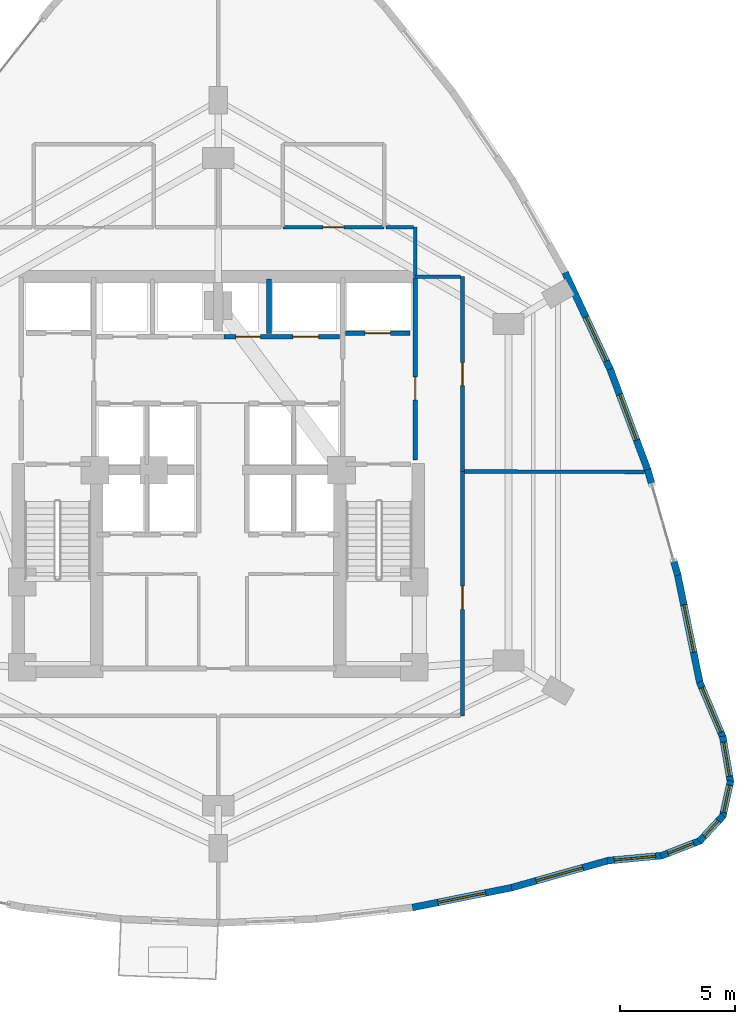
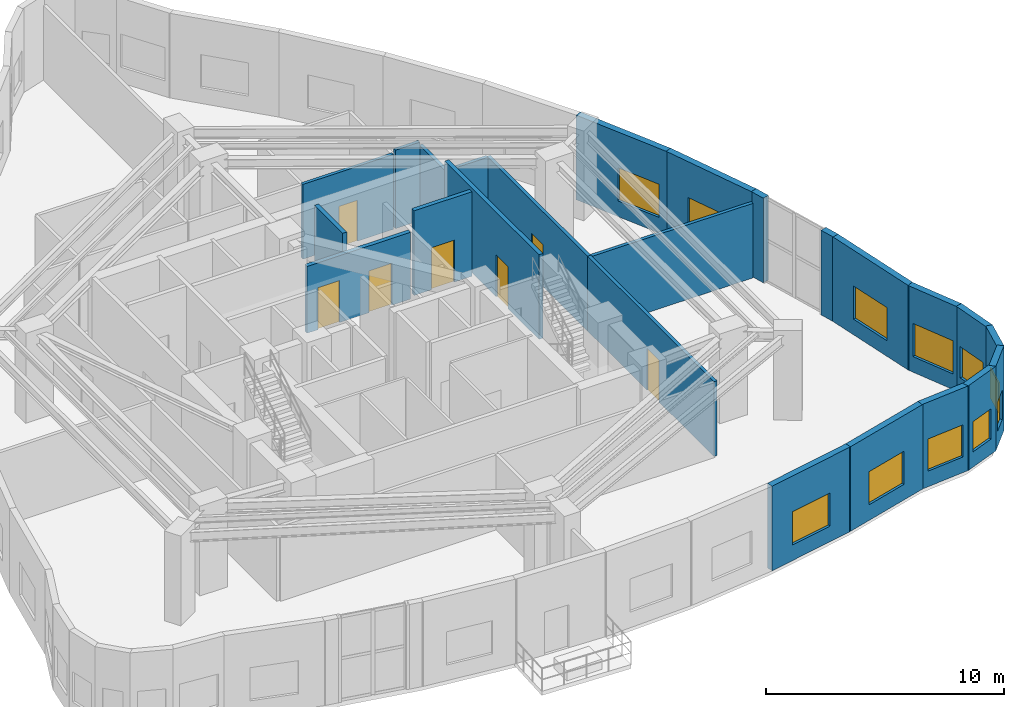
# One storey, part 15 of 17: 24 walls, 11 windows, 7 doors, 18 openings.
"""IFC4 building model written with IfcOpenShell, lengths in metres."""

from ifc_helpers import new_model, si_unit, direction, frame, frame_2d, origin, place, context, subcontext, project, spatial, rectangle, extrude, material, layer, layer_set, type_object, element, fill, save


model = new_model("IFC4")

# Units and contexts
model_context = context("Model", 3, precision=1e-05, world=origin(), true_north=direction((0.0, 1.0)))
body_context = subcontext(model_context, "Body", "Model", "MODEL_VIEW")
ifc_project = project(units=[si_unit("LENGTHUNIT", "METRE"), si_unit("AREAUNIT", "SQUARE_METRE"), si_unit("VOLUMEUNIT", "CUBIC_METRE"), si_unit("PLANEANGLEUNIT", "RADIAN"), si_unit("MASSUNIT", "GRAM", prefix="KILO")], contexts=[model_context])

# Site, building, storey
site_placement = place(None, origin())
site = spatial("IfcSite", under=ifc_project, at=site_placement, CompositionType="ELEMENT")
building_placement = place(site_placement, origin())
building = spatial("IfcBuilding", under=site, at=building_placement, Name="Miruveldt Soraemaru", CompositionType="ELEMENT")
storey_placement = place(building_placement, frame((0.0, 0.0, 95.800048828125)))
storey = spatial("IfcBuildingStorey", under=building, at=storey_placement, Name="L26", CompositionType="ELEMENT", Elevation=95.800048828125)

# Wall, opening, window
ifc_material_1 = material(Name="Precast concrete C45/55 (45 MPa)", Category="concrete")
ifc_layer_1 = layer(ifc_material_1, 0.300048828125, Name="Precast concrete C45/55 (45 MPa)", Category="concrete")
ifc_layer_set_1 = layer_set([ifc_layer_1], Name="Precast concrete C45/55 (45 MPa)")
wall_type_1 = type_object("IfcWallType", Name="WALL-EXT-PC300", PredefinedType="SOLIDWALL", material=ifc_layer_set_1)
wall_1_placement = place(storey_placement, frame((52.42333984375, 25.077880859375, 0.0), z_axis=(0.0, 0.0, 1.0), x_axis=(0.980576390451, 0.196137560119, 0.0)))
wall_1 = element("IfcWall", 1, at=wall_1_placement, inside=storey, type_object=wall_type_1, Name="L26 Precast Concrete Facade Wall 27", PredefinedType="SOLIDWALL", context=body_context, shape_type="SweptSolid", body=[
    extrude(rectangle(XDim=4.3828125, YDim=0.300048828125, at=frame_2d((2.19140625, 0.0))), origin(), (0.0, 0.0, 1.0), 4.3349609375),
])
opening_1_placement = place(wall_1_placement, frame((1.14111328125, 0.0, 0.800048828125)))
opening_1 = element("IfcOpeningElement", 2, at=opening_1_placement, cuts=wall_1, Name="Opening WN-1", PredefinedType="OPENING", context=body_context, shape_type="SweptSolid", body=[
    extrude(rectangle(XDim=2.10009765625, YDim=1.699951171875, at=frame_2d((1.050048828125, 0.85009765625))), frame((0.0, 0.16015625, 0.0), z_axis=(0.0, -1.0, 0.0), x_axis=(1.0, 0.0, 0.0)), (0.0, 0.0, 1.0), 0.320068359375),
])
ifc_material_2 = material(Name="Triple low-e insulated glazing", Category="glass")
window_type_1 = type_object("IfcWindowType", Name="WIN-PUNCH-2100x1700", PartitioningType="SINGLE_PANEL", PredefinedType="WINDOW", material=ifc_material_2)
window_1_placement = place(opening_1_placement, origin())
window_1 = element("IfcWindow", 3, at=window_1_placement, inside=storey, type_object=window_type_1, Name="L26 Punched Triple-Glazed Window 27.1", OverallHeight=1.699951171875, OverallWidth=2.10009765625, PartitioningType="SINGLE_PANEL", PredefinedType="WINDOW", context=body_context, shape_type="SweptSolid", body=[
    extrude(rectangle(XDim=2.10009765625, YDim=1.699951171875, at=frame_2d((1.050048828125, 0.85009765625))), frame((0.0, 0.030029296875, 0.0), z_axis=(0.0, -1.0, 0.0), x_axis=(1.0, 0.0, 0.0)), (0.0, 0.0, 1.0), 0.06005859375),
])
fill(opening_1, window_1)

wall_2_placement = place(storey_placement, frame((56.65283203125, 25.921142578125, 0.0), z_axis=(0.0, 0.0, 1.0), x_axis=(0.9629702709, 0.269607598859, 0.0)))
wall_2 = element("IfcWall", 4, at=wall_2_placement, inside=storey, type_object=wall_type_1, Name="L26 Precast Concrete Facade Wall 28", PredefinedType="SOLIDWALL", context=body_context, shape_type="SweptSolid", body=[
    extrude(rectangle(XDim=4.461669921875, YDim=0.300048828125, at=frame_2d((2.23095703125, 0.0))), origin(), (0.0, 0.0, 1.0), 4.3349609375),
])
opening_2_placement = place(wall_2_placement, frame((1.180908203125, 0.0, 0.800048828125)))
opening_2 = element("IfcOpeningElement", 5, at=opening_2_placement, cuts=wall_2, Name="Opening WN-1", PredefinedType="OPENING", context=body_context, shape_type="SweptSolid", body=[
    extrude(rectangle(XDim=2.10009765625, YDim=1.699951171875, at=frame_2d((1.050048828125, 0.85009765625))), frame((0.0, 0.16015625, 0.0), z_axis=(0.0, -1.0, 0.0), x_axis=(1.0, 0.0, 0.0)), (0.0, 0.0, 1.0), 0.320068359375),
])
window_2_placement = place(opening_2_placement, origin())
window_2 = element("IfcWindow", 6, at=window_2_placement, inside=storey, type_object=window_type_1, Name="L26 Punched Triple-Glazed Window 28.1", OverallHeight=1.699951171875, OverallWidth=2.10009765625, PartitioningType="SINGLE_PANEL", PredefinedType="WINDOW", context=body_context, shape_type="SweptSolid", body=[
    extrude(rectangle(XDim=2.10009765625, YDim=1.699951171875, at=frame_2d((1.050048828125, 0.85009765625))), frame((0.0, 0.030029296875, 0.0), z_axis=(0.0, -1.0, 0.0), x_axis=(1.0, 0.0, 0.0)), (0.0, 0.0, 1.0), 0.06005859375),
])
fill(opening_2, window_2)

wall_3_placement = place(storey_placement, frame((60.880615234375, 27.111328125, 0.0), z_axis=(0.0, 0.0, 1.0), x_axis=(0.99575966251, 0.091992904713, 0.0)))
wall_3 = element("IfcWall", 7, at=wall_3_placement, inside=storey, type_object=wall_type_1, Name="L26 Precast Concrete Facade Wall 29", PredefinedType="SOLIDWALL", context=body_context, shape_type="SweptSolid", body=[
    extrude(rectangle(XDim=2.40185546875, YDim=0.300048828125, at=frame_2d((1.200927734375, 0.0))), origin(), (0.0, 0.0, 1.0), 4.3349609375),
])
opening_3_placement = place(wall_3_placement, frame((0.301025390625, 0.0, 0.800048828125)))
opening_3 = element("IfcOpeningElement", 8, at=opening_3_placement, cuts=wall_3, Name="Opening WN-2", PredefinedType="OPENING", context=body_context, shape_type="SweptSolid", body=[
    extrude(rectangle(XDim=1.800048828125, YDim=1.64990234375, at=frame_2d((0.89990234375, 0.824951171875))), frame((0.0, 0.16015625, 0.0), z_axis=(0.0, -1.0, 0.0), x_axis=(1.0, 0.0, 0.0)), (0.0, 0.0, 1.0), 0.320068359375),
])
window_type_2 = type_object("IfcWindowType", Name="WIN-PUNCH-1800x1650", PartitioningType="SINGLE_PANEL", PredefinedType="WINDOW", material=ifc_material_2)
window_3_placement = place(opening_3_placement, origin())
window_3 = element("IfcWindow", 9, at=window_3_placement, inside=storey, type_object=window_type_2, Name="L26 Punched Triple-Glazed Window 29.1", OverallHeight=1.64990234375, OverallWidth=1.800048828125, PartitioningType="SINGLE_PANEL", PredefinedType="WINDOW", context=body_context, shape_type="SweptSolid", body=[
    extrude(rectangle(XDim=1.800048828125, YDim=1.64990234375, at=frame_2d((0.89990234375, 0.824951171875))), frame((0.0, 0.030029296875, 0.0), z_axis=(0.0, -1.0, 0.0), x_axis=(1.0, 0.0, 0.0)), (0.0, 0.0, 1.0), 0.06005859375),
])
fill(opening_3, window_3)

wall_4_placement = place(storey_placement, frame((63.20458984375, 27.31640625, 0.0), z_axis=(0.0, 0.0, 1.0), x_axis=(0.932296797373, 0.361694182437, 0.0)))
wall_4 = element("IfcWall", 10, at=wall_4_placement, inside=storey, type_object=wall_type_1, Name="L26 Precast Concrete Facade Wall 30", PredefinedType="SOLIDWALL", context=body_context, shape_type="SweptSolid", body=[
    extrude(rectangle(XDim=1.848876953125, YDim=0.300048828125, at=frame_2d((0.92431640625, 0.0))), origin(), (0.0, 0.0, 1.0), 4.3349609375),
])
opening_4_placement = place(wall_4_placement, frame((0.324951171875, 0.0, 0.780029296875)))
opening_4 = element("IfcOpeningElement", 11, at=opening_4_placement, cuts=wall_4, Name="Opening WN-4", PredefinedType="OPENING", context=body_context, shape_type="SweptSolid", body=[
    extrude(rectangle(XDim=1.199951171875, YDim=1.550048828125, at=frame_2d((0.60009765625, 0.77490234375))), frame((0.0, 0.16015625, 0.0), z_axis=(0.0, -1.0, 0.0), x_axis=(1.0, 0.0, 0.0)), (0.0, 0.0, 1.0), 0.320068359375),
])
window_type_3 = type_object("IfcWindowType", Name="WIN-PUNCH-1200x1550", PartitioningType="SINGLE_PANEL", PredefinedType="WINDOW", material=ifc_material_2)
window_4_placement = place(opening_4_placement, origin())
window_4 = element("IfcWindow", 12, at=window_4_placement, inside=storey, type_object=window_type_3, Name="L26 Punched Triple-Glazed Window 30.1", OverallHeight=1.550048828125, OverallWidth=1.199951171875, PartitioningType="SINGLE_PANEL", PredefinedType="WINDOW", context=body_context, shape_type="SweptSolid", body=[
    extrude(rectangle(XDim=1.199951171875, YDim=1.550048828125, at=frame_2d((0.60009765625, 0.77490234375))), frame((0.0, 0.030029296875, 0.0), z_axis=(0.0, -1.0, 0.0), x_axis=(1.0, 0.0, 0.0)), (0.0, 0.0, 1.0), 0.06005859375),
])
fill(opening_4, window_4)

wall_5_placement = place(storey_placement, frame((64.871826171875, 27.94677734375, 0.0), z_axis=(0.0, 0.0, 1.0), x_axis=(0.680090582793, 0.733128091943, 0.0)))
wall_5 = element("IfcWall", 13, at=wall_5_placement, inside=storey, type_object=wall_type_1, Name="L26 Precast Concrete Facade Wall 31", PredefinedType="SOLIDWALL", context=body_context, shape_type="SweptSolid", body=[
    extrude(rectangle(XDim=1.532958984375, YDim=0.300048828125, at=frame_2d((0.7666015625, 0.0))), origin(), (0.0, 0.0, 1.0), 4.3349609375),
])
opening_5_placement = place(wall_5_placement, frame((0.31591796875, 0.0, 0.780029296875)))
opening_5 = element("IfcOpeningElement", 14, at=opening_5_placement, cuts=wall_5, Name="Opening WN-7", PredefinedType="OPENING", context=body_context, shape_type="SweptSolid", body=[
    extrude(rectangle(XDim=0.89990234375, YDim=1.5, at=frame_2d((0.449951171875, 0.75))), frame((0.0, 0.16015625, 0.0), z_axis=(0.0, -1.0, 0.0), x_axis=(1.0, 0.0, 0.0)), (0.0, 0.0, 1.0), 0.320068359375),
])
window_type_4 = type_object("IfcWindowType", Name="WIN-PUNCH-900x1500", PartitioningType="SINGLE_PANEL", PredefinedType="WINDOW", material=ifc_material_2)
window_5_placement = place(opening_5_placement, origin())
window_5 = element("IfcWindow", 15, at=window_5_placement, inside=storey, type_object=window_type_4, Name="L26 Punched Triple-Glazed Window 31.1", OverallHeight=1.5, OverallWidth=0.89990234375, PartitioningType="SINGLE_PANEL", PredefinedType="WINDOW", context=body_context, shape_type="SweptSolid", body=[
    extrude(rectangle(XDim=0.89990234375, YDim=1.5, at=frame_2d((0.449951171875, 0.75))), frame((0.0, 0.030029296875, 0.0), z_axis=(0.0, -1.0, 0.0), x_axis=(1.0, 0.0, 0.0)), (0.0, 0.0, 1.0), 0.06005859375),
])
fill(opening_5, window_5)

wall_6_placement = place(storey_placement, frame((65.883056640625, 29.010498046875, 0.0), z_axis=(0.0, 0.0, 1.0), x_axis=(0.215788702649, 0.976440083062, 0.0)))
wall_6 = element("IfcWall", 16, at=wall_6_placement, inside=storey, type_object=wall_type_1, Name="L26 Precast Concrete Facade Wall 32", PredefinedType="SOLIDWALL", context=body_context, shape_type="SweptSolid", body=[
    extrude(rectangle(XDim=1.607666015625, YDim=0.300048828125, at=frame_2d((0.8037109375, 0.0))), origin(), (0.0, 0.0, 1.0), 4.3349609375),
])
opening_6_placement = place(wall_6_placement, frame((0.2041015625, 0.0, 0.780029296875)))
opening_6 = element("IfcOpeningElement", 17, at=opening_6_placement, cuts=wall_6, Name="Opening WN-4", PredefinedType="OPENING", context=body_context, shape_type="SweptSolid", body=[
    extrude(rectangle(XDim=1.199951171875, YDim=1.550048828125, at=frame_2d((0.60009765625, 0.77490234375))), frame((0.0, 0.16015625, 0.0), z_axis=(0.0, -1.0, 0.0), x_axis=(1.0, 0.0, 0.0)), (0.0, 0.0, 1.0), 0.320068359375),
])
window_6_placement = place(opening_6_placement, origin())
window_6 = element("IfcWindow", 18, at=window_6_placement, inside=storey, type_object=window_type_3, Name="L26 Punched Triple-Glazed Window 32.1", OverallHeight=1.550048828125, OverallWidth=1.199951171875, PartitioningType="SINGLE_PANEL", PredefinedType="WINDOW", context=body_context, shape_type="SweptSolid", body=[
    extrude(rectangle(XDim=1.199951171875, YDim=1.550048828125, at=frame_2d((0.60009765625, 0.77490234375))), frame((0.0, 0.030029296875, 0.0), z_axis=(0.0, -1.0, 0.0), x_axis=(1.0, 0.0, 0.0)), (0.0, 0.0, 1.0), 0.06005859375),
])
fill(opening_6, window_6)

wall_7_placement = place(storey_placement, frame((66.228271484375, 30.51171875, 0.0), z_axis=(0.0, 0.0, 1.0), x_axis=(-0.169334592739, 0.985558621139, 0.0)))
wall_7 = element("IfcWall", 19, at=wall_7_placement, inside=storey, type_object=wall_type_1, Name="L26 Precast Concrete Facade Wall 33", PredefinedType="SOLIDWALL", context=body_context, shape_type="SweptSolid", body=[
    extrude(rectangle(XDim=2.028564453125, YDim=0.300048828125, at=frame_2d((1.01416015625, 0.0))), origin(), (0.0, 0.0, 1.0), 4.3349609375),
])
opening_7_placement = place(wall_7_placement, frame((0.263916015625, 0.0, 0.800048828125)))
opening_7 = element("IfcOpeningElement", 20, at=opening_7_placement, cuts=wall_7, Name="Opening WN-3", PredefinedType="OPENING", context=body_context, shape_type="SweptSolid", body=[
    extrude(rectangle(XDim=1.5, YDim=1.60009765625, at=frame_2d((0.75, 0.800048828125))), frame((0.0, 0.16015625, 0.0), z_axis=(0.0, -1.0, 0.0), x_axis=(1.0, 0.0, 0.0)), (0.0, 0.0, 1.0), 0.320068359375),
])
window_type_5 = type_object("IfcWindowType", Name="WIN-PUNCH-1500x1600", PartitioningType="SINGLE_PANEL", PredefinedType="WINDOW", material=ifc_material_2)
window_7_placement = place(opening_7_placement, origin())
window_7 = element("IfcWindow", 21, at=window_7_placement, inside=storey, type_object=window_type_5, Name="L26 Punched Triple-Glazed Window 33.1", OverallHeight=1.60009765625, OverallWidth=1.5, PartitioningType="SINGLE_PANEL", PredefinedType="WINDOW", context=body_context, shape_type="SweptSolid", body=[
    extrude(rectangle(XDim=1.5, YDim=1.60009765625, at=frame_2d((0.75, 0.800048828125))), frame((0.0, 0.030029296875, 0.0), z_axis=(0.0, -1.0, 0.0), x_axis=(1.0, 0.0, 0.0)), (0.0, 0.0, 1.0), 0.06005859375),
])
fill(opening_7, window_7)

wall_8_placement = place(storey_placement, frame((65.904296875, 32.444091796875, 0.0), z_axis=(0.0, 0.0, 1.0), x_axis=(-0.388592170804, 0.921409857116, 0.0)))
wall_8 = element("IfcWall", 22, at=wall_8_placement, inside=storey, type_object=wall_type_1, Name="L26 Precast Concrete Facade Wall 34", PredefinedType="SOLIDWALL", context=body_context, shape_type="SweptSolid", body=[
    extrude(rectangle(XDim=2.630615234375, YDim=0.300048828125, at=frame_2d((1.3154296875, 0.0))), origin(), (0.0, 0.0, 1.0), 4.3349609375),
])
opening_8_placement = place(wall_8_placement, frame((0.264892578125, 0.0, 0.800048828125)))
opening_8 = element("IfcOpeningElement", 23, at=opening_8_placement, cuts=wall_8, Name="Opening WN-1", PredefinedType="OPENING", context=body_context, shape_type="SweptSolid", body=[
    extrude(rectangle(XDim=2.10009765625, YDim=1.699951171875, at=frame_2d((1.050048828125, 0.85009765625))), frame((0.0, 0.16015625, 0.0), z_axis=(0.0, -1.0, 0.0), x_axis=(1.0, 0.0, 0.0)), (0.0, 0.0, 1.0), 0.320068359375),
])
window_8_placement = place(opening_8_placement, origin())
window_8 = element("IfcWindow", 24, at=window_8_placement, inside=storey, type_object=window_type_1, Name="L26 Punched Triple-Glazed Window 34.1", OverallHeight=1.699951171875, OverallWidth=2.10009765625, PartitioningType="SINGLE_PANEL", PredefinedType="WINDOW", context=body_context, shape_type="SweptSolid", body=[
    extrude(rectangle(XDim=2.10009765625, YDim=1.699951171875, at=frame_2d((1.050048828125, 0.85009765625))), frame((0.0, 0.030029296875, 0.0), z_axis=(0.0, -1.0, 0.0), x_axis=(1.0, 0.0, 0.0)), (0.0, 0.0, 1.0), 0.06005859375),
])
fill(opening_8, window_8)

wall_9_placement = place(storey_placement, frame((64.902587890625, 34.80126953125, 0.0), z_axis=(0.0, 0.0, 1.0), x_axis=(-0.201549496083, 0.979478330862, 0.0)))
wall_9 = element("IfcWall", 25, at=wall_9_placement, inside=storey, type_object=wall_type_1, Name="L26 Precast Concrete Facade Wall 35", PredefinedType="SOLIDWALL", context=body_context, shape_type="SweptSolid", body=[
    extrude(rectangle(XDim=4.8623046875, YDim=0.300048828125, at=frame_2d((2.43115234375, 0.0))), origin(), (0.0, 0.0, 1.0), 4.3349609375),
])
opening_9_placement = place(wall_9_placement, frame((1.381103515625, 0.0, 0.800048828125)))
opening_9 = element("IfcOpeningElement", 26, at=opening_9_placement, cuts=wall_9, Name="Opening WN-1", PredefinedType="OPENING", context=body_context, shape_type="SweptSolid", body=[
    extrude(rectangle(XDim=2.10009765625, YDim=1.699951171875, at=frame_2d((1.050048828125, 0.85009765625))), frame((0.0, 0.16015625, 0.0), z_axis=(0.0, -1.0, 0.0), x_axis=(1.0, 0.0, 0.0)), (0.0, 0.0, 1.0), 0.320068359375),
])
window_9_placement = place(opening_9_placement, origin())
window_9 = element("IfcWindow", 27, at=window_9_placement, inside=storey, type_object=window_type_1, Name="L26 Punched Triple-Glazed Window 35.1", OverallHeight=1.699951171875, OverallWidth=2.10009765625, PartitioningType="SINGLE_PANEL", PredefinedType="WINDOW", context=body_context, shape_type="SweptSolid", body=[
    extrude(rectangle(XDim=2.10009765625, YDim=1.699951171875, at=frame_2d((1.050048828125, 0.85009765625))), frame((0.0, 0.030029296875, 0.0), z_axis=(0.0, -1.0, 0.0), x_axis=(1.0, 0.0, 0.0)), (0.0, 0.0, 1.0), 0.06005859375),
])
fill(opening_9, window_9)

# Walls
for number, where, z_axis, x_axis, name in (
    (28, (63.939208984375, 39.49560546875, 0.0), (0.0, 0.0, 1.0), (-0.274583927868, 0.961563137062, 0.0), "L26 Precast Pier Left 36"),
    (29, (62.81982421875, 43.409912109375, 0.0), (0.0, 0.0, 1.0), (-0.274904035169, 0.961471669602, 0.0), "L26 Precast Pier Right 36"),
):
    element("IfcWall", number, at=place(storey_placement, frame(where, z_axis=z_axis, x_axis=x_axis)), inside=storey, type_object=wall_type_1, Name=name, PredefinedType="SOLIDWALL", context=body_context, shape_type="SweptSolid", body=[
        extrude(rectangle(XDim=0.705078125, YDim=0.300048828125, at=frame_2d((0.3525390625, 0.0))), origin(), (0.0, 0.0, 1.0), 4.3349609375),
    ])

# Wall, opening, window
wall_10_placement = place(storey_placement, frame((62.647705078125, 44.021240234375, 0.0), z_axis=(0.0, 0.0, 1.0), x_axis=(-0.348995860987, 0.937124265513, 0.0)))
wall_10 = element("IfcWall", 30, at=wall_10_placement, inside=storey, type_object=wall_type_1, Name="L26 Precast Concrete Facade Wall 37", PredefinedType="SOLIDWALL", context=body_context, shape_type="SweptSolid", body=[
    extrude(rectangle(XDim=4.7177734375, YDim=0.300048828125, at=frame_2d((2.35888671875, 0.0))), origin(), (0.0, 0.0, 1.0), 4.3349609375),
])
opening_10_placement = place(wall_10_placement, frame((1.43603515625, 0.0, 0.800048828125)))
opening_10 = element("IfcOpeningElement", 31, at=opening_10_placement, cuts=wall_10, Name="Opening WN-1", PredefinedType="OPENING", context=body_context, shape_type="SweptSolid", body=[
    extrude(rectangle(XDim=2.10009765625, YDim=1.699951171875, at=frame_2d((1.050048828125, 0.85009765625))), frame((0.0, 0.16015625, 0.0), z_axis=(0.0, -1.0, 0.0), x_axis=(1.0, 0.0, 0.0)), (0.0, 0.0, 1.0), 0.320068359375),
])
window_10_placement = place(opening_10_placement, origin())
window_10 = element("IfcWindow", 32, at=window_10_placement, inside=storey, type_object=window_type_1, Name="L26 Punched Triple-Glazed Window 37.1", OverallHeight=1.699951171875, OverallWidth=2.10009765625, PartitioningType="SINGLE_PANEL", PredefinedType="WINDOW", context=body_context, shape_type="SweptSolid", body=[
    extrude(rectangle(XDim=2.10009765625, YDim=1.699951171875, at=frame_2d((1.050048828125, 0.85009765625))), frame((0.0, 0.030029296875, 0.0), z_axis=(0.0, -1.0, 0.0), x_axis=(1.0, 0.0, 0.0)), (0.0, 0.0, 1.0), 0.06005859375),
])
fill(opening_10, window_10)

wall_11_placement = place(storey_placement, frame((61.0283203125, 48.3779296875, 0.0), z_axis=(0.0, 0.0, 1.0), x_axis=(-0.422360867557, 0.906427767423, 0.0)))
wall_11 = element("IfcWall", 33, at=wall_11_placement, inside=storey, type_object=wall_type_1, Name="L26 Precast Concrete Facade Wall 38", PredefinedType="SOLIDWALL", context=body_context, shape_type="SweptSolid", body=[
    extrude(rectangle(XDim=4.6884765625, YDim=0.300048828125, at=frame_2d((2.34423828125, 0.0))), origin(), (0.0, 0.0, 1.0), 4.3349609375),
])
opening_11_placement = place(wall_11_placement, frame((0.4560546875, 0.0, 0.800048828125)))
opening_11 = element("IfcOpeningElement", 34, at=opening_11_placement, cuts=wall_11, Name="Opening WN-1", PredefinedType="OPENING", context=body_context, shape_type="SweptSolid", body=[
    extrude(rectangle(XDim=2.10009765625, YDim=1.699951171875, at=frame_2d((1.050048828125, 0.85009765625))), frame((0.0, 0.16015625, 0.0), z_axis=(0.0, -1.0, 0.0), x_axis=(1.0, 0.0, 0.0)), (0.0, 0.0, 1.0), 0.320068359375),
])
window_11_placement = place(opening_11_placement, origin())
window_11 = element("IfcWindow", 35, at=window_11_placement, inside=storey, type_object=window_type_1, Name="L26 Punched Triple-Glazed Window 38.1", OverallHeight=1.699951171875, OverallWidth=2.10009765625, PartitioningType="SINGLE_PANEL", PredefinedType="WINDOW", context=body_context, shape_type="SweptSolid", body=[
    extrude(rectangle(XDim=2.10009765625, YDim=1.699951171875, at=frame_2d((1.050048828125, 0.85009765625))), frame((0.0, 0.030029296875, 0.0), z_axis=(0.0, -1.0, 0.0), x_axis=(1.0, 0.0, 0.0)), (0.0, 0.0, 1.0), 0.06005859375),
])
fill(opening_11, window_11)

# Wall, opening, door
ifc_material_3 = material(Name="Gypsum plasterboard lining", Category="gypsum")
ifc_layer_2 = layer(ifc_material_3, 0.14990234375, Name="Gypsum plasterboard lining", Category="gypsum")
ifc_layer_set_2 = layer_set([ifc_layer_2], Name="Gypsum plasterboard lining")
wall_type_2 = type_object("IfcWallType", Name="WALL-INT-PLUMB", PredefinedType="PLUMBINGWALL", material=ifc_layer_set_2)
wall_12_placement = place(storey_placement, frame((51.199951171875, 54.60009765625, 0.0), z_axis=(0.0, 0.0, 1.0), x_axis=(-1.0, 0.0, 0.0)))
wall_12 = element("IfcWall", 36, at=wall_12_placement, inside=storey, type_object=wall_type_2, Name="L26 Partition Wall 2", PredefinedType="PLUMBINGWALL", context=body_context, shape_type="SweptSolid", body=[
    extrude(rectangle(XDim=4.39990234375, YDim=0.14990234375, at=frame_2d((2.199951171875, 0.0))), origin(), (0.0, 0.0, 1.0), 3.8349609375),
])
opening_12_placement = place(wall_12_placement, frame((1.75, 0.0, 0.0)))
opening_12 = element("IfcOpeningElement", 37, at=opening_12_placement, cuts=wall_12, Name="Opening D3", PredefinedType="OPENING", context=body_context, shape_type="SweptSolid", body=[
    extrude(rectangle(XDim=0.89990234375, YDim=2.10009765625, at=frame_2d((0.449951171875, 1.050048828125))), frame((0.0, 0.0849609375, 0.0), z_axis=(0.0, -1.0, 0.0), x_axis=(1.0, 0.0, 0.0)), (0.0, 0.0, 1.0), 0.169921875),
])
ifc_material_4 = material(Name="Anodised aluminium EN AW-6063 T6", Category="aluminium")
door_type_1 = type_object("IfcDoorType", Name="DOOR-INT-900", OperationType="NOTDEFINED", PredefinedType="DOOR", material=ifc_material_4)
door_1_placement = place(opening_12_placement, origin())
door_1 = element("IfcDoor", 38, at=door_1_placement, inside=storey, type_object=door_type_1, Name="L26 Accessible WC Door", OperationType="SINGLE_SWING_LEFT", OverallHeight=2.10009765625, OverallWidth=0.89990234375, PredefinedType="DOOR", context=body_context, shape_type="SweptSolid", body=[
    extrude(rectangle(XDim=0.89990234375, YDim=2.10009765625, at=frame_2d((0.449951171875, 1.050048828125))), frame((0.0, 0.02490234375, 0.0), z_axis=(0.0, -1.0, 0.0), x_axis=(1.0, 0.0, 0.0)), (0.0, 0.0, 1.0), 0.050048828125),
])
fill(opening_12, door_1)

ifc_material_5 = material(Name="Concrete C40/50 (40 MPa)", Category="concrete")
ifc_layer_3 = layer(ifc_material_5, 0.159912109375, Name="Concrete C40/50 (40 MPa)", Category="concrete")
ifc_layer_set_3 = layer_set([ifc_layer_3], Name="Concrete C40/50 (40 MPa)")
wall_type_3 = type_object("IfcWallType", Name="WALL-INT-RC160", PredefinedType="SOLIDWALL", material=ifc_layer_set_3)
wall_13_placement = place(storey_placement, frame((54.60009765625, 33.39990234375, 0.0), z_axis=(0.0, 0.0, 1.0), x_axis=(0.0, 1.0, 0.0)))
wall_13 = element("IfcWall", 39, at=wall_13_placement, inside=storey, type_object=wall_type_3, Name="L26 Partition Wall 6", PredefinedType="SOLIDWALL", context=body_context, shape_type="SweptSolid", body=[
    extrude(rectangle(XDim=10.60009765625, YDim=0.159912109375, at=frame_2d((5.300048828125, 0.0))), origin(), (0.0, 0.0, 1.0), 3.8349609375),
])
opening_13_placement = place(wall_13_placement, frame((4.6201171875, 0.0, 0.0)))
opening_13 = element("IfcOpeningElement", 40, at=opening_13_placement, cuts=wall_13, Name="Opening FD2A", PredefinedType="OPENING", context=body_context, shape_type="SweptSolid", body=[
    extrude(rectangle(XDim=1.0, YDim=2.14990234375, at=frame_2d((0.5, 1.074951171875))), frame((0.0, 0.08984375, 0.0), z_axis=(0.0, -1.0, 0.0), x_axis=(1.0, 0.0, 0.0)), (0.0, 0.0, 1.0), 0.179931640625),
])
door_type_2 = type_object("IfcDoorType", Name="DOOR-FD2-1000", OperationType="NOTDEFINED", PredefinedType="DOOR", material=ifc_material_4)
door_2_placement = place(opening_13_placement, origin())
door_2 = element("IfcDoor", 41, at=door_2_placement, inside=storey, type_object=door_type_2, Name="L26 Sky Garden Espresso Cafe Door", OperationType="SINGLE_SWING_LEFT", OverallHeight=2.14990234375, OverallWidth=1.0, PredefinedType="DOOR", context=body_context, shape_type="SweptSolid", body=[
    extrude(rectangle(XDim=1.0, YDim=2.14990234375, at=frame_2d((0.5, 1.074951171875))), frame((0.0, 0.02490234375, 0.0), z_axis=(0.0, -1.0, 0.0), x_axis=(1.0, 0.0, 0.0)), (0.0, 0.0, 1.0), 0.050048828125),
])
fill(opening_13, door_2)

wall_14_placement = place(storey_placement, frame((54.60009765625, 44.0, 0.0), z_axis=(0.0, 0.0, 1.0), x_axis=(0.0, 1.0, 0.0)))
wall_14 = element("IfcWall", 42, at=wall_14_placement, inside=storey, type_object=wall_type_3, Name="L26 Partition Wall 10", PredefinedType="SOLIDWALL", context=body_context, shape_type="SweptSolid", body=[
    extrude(rectangle(XDim=8.449951171875, YDim=0.159912109375, at=frame_2d((4.22509765625, 0.0))), origin(), (0.0, 0.0, 1.0), 3.8349609375),
])
opening_14_placement = place(wall_14_placement, frame((3.72509765625, 0.0, 0.0)))
opening_14 = element("IfcOpeningElement", 43, at=opening_14_placement, cuts=wall_14, Name="Opening FD2A", PredefinedType="OPENING", context=body_context, shape_type="SweptSolid", body=[
    extrude(rectangle(XDim=1.0, YDim=2.14990234375, at=frame_2d((0.5, 1.074951171875))), frame((0.0, 0.08984375, 0.0), z_axis=(0.0, -1.0, 0.0), x_axis=(1.0, 0.0, 0.0)), (0.0, 0.0, 1.0), 0.179931640625),
])
door_3_placement = place(opening_14_placement, origin())
door_3 = element("IfcDoor", 44, at=door_3_placement, inside=storey, type_object=door_type_2, Name="L26 Sky Reading Library Door", OperationType="SINGLE_SWING_LEFT", OverallHeight=2.14990234375, OverallWidth=1.0, PredefinedType="DOOR", context=body_context, shape_type="SweptSolid", body=[
    extrude(rectangle(XDim=1.0, YDim=2.14990234375, at=frame_2d((0.5, 1.074951171875))), frame((0.0, 0.02490234375, 0.0), z_axis=(0.0, -1.0, 0.0), x_axis=(1.0, 0.0, 0.0)), (0.0, 0.0, 1.0), 0.050048828125),
])
fill(opening_14, door_3)

# Walls
wall_15_placement = place(storey_placement, frame((62.486083984375, 43.97705078125, 0.0), z_axis=(0.0, 0.0, 1.0), x_axis=(-0.999995678555, 0.002939875955, 0.0)))
element("IfcWall", 45, at=wall_15_placement, inside=storey, type_object=wall_type_3, Name="L26 Partition Wall 23", PredefinedType="SOLIDWALL", context=body_context, shape_type="SweptSolid", body=[
    extrude(rectangle(XDim=7.80615234375, YDim=0.159912109375, at=frame_2d((3.903076171875, 0.0))), origin(), (0.0, 0.0, 1.0), 3.822998046875),
])
wall_16_placement = place(storey_placement, frame((52.550048828125, 52.449951171875, 0.0), z_axis=(0.0, 0.0, 1.0), x_axis=(0.0, 1.0, 0.0)))
element("IfcWall", 46, at=wall_16_placement, inside=storey, type_object=wall_type_3, Name="L26 Partition Wall 12", PredefinedType="SOLIDWALL", context=body_context, shape_type="SweptSolid", body=[
    extrude(rectangle(XDim=2.150146484375, YDim=0.159912109375, at=frame_2d((1.0751953125, 0.0))), origin(), (0.0, 0.0, 1.0), 3.8349609375),
])
wall_17_placement = place(storey_placement, frame((54.52001953125, 52.449951171875, 0.0), z_axis=(0.0, 0.0, 1.0), x_axis=(-1.0, 0.0, 0.0)))
element("IfcWall", 47, at=wall_17_placement, inside=storey, type_object=wall_type_3, Name="L26 Partition Wall 11", PredefinedType="SOLIDWALL", context=body_context, shape_type="SweptSolid", body=[
    extrude(rectangle(XDim=1.969970703125, YDim=0.159912109375, at=frame_2d((0.98486328125, 0.0))), origin(), (0.0, 0.0, 1.0), 3.8349609375),
])
wall_18_placement = place(storey_placement, frame((52.469970703125, 54.60009765625, 0.0), z_axis=(0.0, 0.0, 1.0), x_axis=(-1.0, 0.0, 0.0)))
element("IfcWall", 48, at=wall_18_placement, inside=storey, type_object=wall_type_3, Name="L26 Partition Wall 13", PredefinedType="SOLIDWALL", context=body_context, shape_type="SweptSolid", body=[
    extrude(rectangle(XDim=1.18994140625, YDim=0.159912109375, at=frame_2d((0.594970703125, 0.0))), origin(), (0.0, 0.0, 1.0), 4.02294921875),
])

# Wall, opening, door
ifc_layer_4 = layer(ifc_material_5, 0.199951171875, Name="Concrete C40/50 (40 MPa)", Category="concrete")
ifc_layer_set_4 = layer_set([ifc_layer_4], Name="Concrete C40/50 (40 MPa)")
wall_type_4 = type_object("IfcWallType", Name="WALL-INT-RC200", PredefinedType="SOLIDWALL", material=ifc_layer_set_4)
wall_19_placement = place(storey_placement, frame((52.550048828125, 44.5, 0.0), z_axis=(0.0, 0.0, 1.0), x_axis=(0.0, 1.0, 0.0)))
wall_19 = element("IfcWall", 49, at=wall_19_placement, inside=storey, type_object=wall_type_4, Name="L26 Core Compartment Wall FFE-OUT", PredefinedType="SOLIDWALL", context=body_context, shape_type="SweptSolid", body=[
    extrude(rectangle(XDim=7.919921875, YDim=0.199951171875, at=frame_2d((3.9599609375, 0.0))), origin(), (0.0, 0.0, 1.0), 4.3349609375),
])
opening_15_placement = place(wall_19_placement, frame((2.60009765625, 0.0, 0.0)))
opening_15 = element("IfcOpeningElement", 50, at=opening_15_placement, cuts=wall_19, Name="Opening FD1", PredefinedType="OPENING", context=body_context, shape_type="SweptSolid", body=[
    extrude(rectangle(XDim=1.0, YDim=2.14990234375, at=frame_2d((0.5, 1.074951171875))), frame((0.0, 0.10986328125, 0.0), z_axis=(0.0, -1.0, 0.0), x_axis=(1.0, 0.0, 0.0)), (0.0, 0.0, 1.0), 0.219970703125),
])
door_type_3 = type_object("IfcDoorType", Name="DOOR-FD1-1000", OperationType="NOTDEFINED", PredefinedType="DOOR", material=ifc_material_4)
door_4_placement = place(opening_15_placement, frame((1.0, 0.0, 0.0), z_axis=(0.0, 0.0, 1.0), x_axis=(-1.0, 0.0, 0.0)))
door_4 = element("IfcDoor", 51, at=door_4_placement, inside=storey, type_object=door_type_3, Name="L26 East Firefighting Lobby Exit Door", OperationType="SINGLE_SWING_RIGHT", OverallHeight=2.14990234375, OverallWidth=1.0, PredefinedType="DOOR", context=body_context, shape_type="SweptSolid", body=[
    extrude(rectangle(XDim=1.0, YDim=2.14990234375, at=frame_2d((0.5, 1.074951171875))), frame((0.0, 0.02490234375, 0.0), z_axis=(0.0, -1.0, 0.0), x_axis=(1.0, 0.0, 0.0)), (0.0, 0.0, 1.0), 0.050048828125),
])
fill(opening_15, door_4)

# Wall, openings, doors
wall_20_placement = place(storey_placement, frame((44.25, 49.85009765625, 0.0), z_axis=(0.0, 0.0, 1.0), x_axis=(1.0, 0.0, 0.0)))
wall_20 = element("IfcWall", 52, at=wall_20_placement, inside=storey, type_object=wall_type_4, Name="L26 Core Compartment Wall ROWA-SE", PredefinedType="SOLIDWALL", context=body_context, shape_type="SweptSolid", body=[
    extrude(rectangle(XDim=5.0, YDim=0.199951171875, at=frame_2d((2.5, 0.0))), origin(), (0.0, 0.0, 1.0), 3.4228515625),
])
opening_16_placement = place(wall_20_placement, frame((0.52490234375, 0.0, 0.0)))
opening_16 = element("IfcOpeningElement", 53, at=opening_16_placement, cuts=wall_20, Name="Opening LD1", PredefinedType="OPENING", context=body_context, shape_type="SweptSolid", body=[
    extrude(rectangle(XDim=1.050048828125, YDim=2.14990234375, at=frame_2d((0.52490234375, 1.074951171875))), frame((0.0, 0.10986328125, 0.0), z_axis=(0.0, -1.0, 0.0), x_axis=(1.0, 0.0, 0.0)), (0.0, 0.0, 1.0), 0.219970703125),
])
opening_17_placement = place(wall_20_placement, frame((3.0, 0.0, 0.0)))
opening_17 = element("IfcOpeningElement", 54, at=opening_17_placement, cuts=wall_20, Name="Opening LD2", PredefinedType="OPENING", context=body_context, shape_type="SweptSolid", body=[
    extrude(rectangle(XDim=1.10009765625, YDim=2.14990234375, at=frame_2d((0.550048828125, 1.074951171875))), frame((0.0, 0.10986328125, 0.0), z_axis=(0.0, -1.0, 0.0), x_axis=(1.0, 0.0, 0.0)), (0.0, 0.0, 1.0), 0.219970703125),
])
door_type_4 = type_object("IfcDoorType", Name="DOOR-LD1-1050", OperationType="SLIDING_TO_LEFT", PredefinedType="DOOR", material=ifc_material_4)
door_5_placement = place(opening_16_placement, origin())
door_5 = element("IfcDoor", 55, at=door_5_placement, inside=storey, type_object=door_type_4, Name="L26 PL-H3 Landing Door", OperationType="SLIDING_TO_LEFT", OverallHeight=2.14990234375, OverallWidth=1.050048828125, PredefinedType="DOOR", context=body_context, shape_type="SweptSolid", body=[
    extrude(rectangle(XDim=1.050048828125, YDim=2.14990234375, at=frame_2d((0.52490234375, 1.074951171875))), frame((0.0, 0.02490234375, 0.0), z_axis=(0.0, -1.0, 0.0), x_axis=(1.0, 0.0, 0.0)), (0.0, 0.0, 1.0), 0.050048828125),
])
fill(opening_16, door_5)
door_type_5 = type_object("IfcDoorType", Name="DOOR-LD2-1100", OperationType="SLIDING_TO_LEFT", PredefinedType="DOOR", material=ifc_material_4)
door_6_placement = place(opening_17_placement, origin())
door_6 = element("IfcDoor", 56, at=door_6_placement, inside=storey, type_object=door_type_5, Name="L26 SL-1 Landing Door", OperationType="SLIDING_TO_LEFT", OverallHeight=2.14990234375, OverallWidth=1.10009765625, PredefinedType="DOOR", context=body_context, shape_type="SweptSolid", body=[
    extrude(rectangle(XDim=1.10009765625, YDim=2.14990234375, at=frame_2d((0.550048828125, 1.074951171875))), frame((0.0, 0.02490234375, 0.0), z_axis=(0.0, -1.0, 0.0), x_axis=(1.0, 0.0, 0.0)), (0.0, 0.0, 1.0), 0.050048828125),
])
fill(opening_17, door_6)

# Wall, opening, door
wall_21_placement = place(storey_placement, frame((49.52001953125, 50.0, 0.0), z_axis=(0.0, 0.0, 1.0), x_axis=(1.0, 0.0, 0.0)))
wall_21 = element("IfcWall", 57, at=wall_21_placement, inside=storey, type_object=wall_type_4, Name="L26 Core Compartment Wall FFL2-S", PredefinedType="SOLIDWALL", context=body_context, shape_type="SweptSolid", body=[
    extrude(rectangle(XDim=2.800048828125, YDim=0.199951171875, at=frame_2d((1.39990234375, 0.0))), origin(), (0.0, 0.0, 1.0), 4.3349609375),
])
opening_18_placement = place(wall_21_placement, frame((0.85009765625, 0.0, 0.0)))
opening_18 = element("IfcOpeningElement", 58, at=opening_18_placement, cuts=wall_21, Name="Opening LD2", PredefinedType="OPENING", context=body_context, shape_type="SweptSolid", body=[
    extrude(rectangle(XDim=1.10009765625, YDim=2.14990234375, at=frame_2d((0.550048828125, 1.074951171875))), frame((0.0, 0.10986328125, 0.0), z_axis=(0.0, -1.0, 0.0), x_axis=(1.0, 0.0, 0.0)), (0.0, 0.0, 1.0), 0.219970703125),
])
door_7_placement = place(opening_18_placement, origin())
door_7 = element("IfcDoor", 59, at=door_7_placement, inside=storey, type_object=door_type_5, Name="L26 FFL-2 Landing Door", OperationType="SLIDING_TO_LEFT", OverallHeight=2.14990234375, OverallWidth=1.10009765625, PredefinedType="DOOR", context=body_context, shape_type="SweptSolid", body=[
    extrude(rectangle(XDim=1.10009765625, YDim=2.14990234375, at=frame_2d((0.550048828125, 1.074951171875))), frame((0.0, 0.02490234375, 0.0), z_axis=(0.0, -1.0, 0.0), x_axis=(1.0, 0.0, 0.0)), (0.0, 0.0, 1.0), 0.050048828125),
])
fill(opening_18, door_7)

# Wall
wall_22_placement = place(storey_placement, frame((46.199951171875, 49.97998046875, 0.0), z_axis=(0.0, 0.0, 1.0), x_axis=(0.0, 1.0, 0.0)))
element("IfcWall", 60, at=wall_22_placement, inside=storey, type_object=wall_type_4, Name="L26 Core Compartment Wall PLH-SL-DIV", PredefinedType="SOLIDWALL", context=body_context, shape_type="SweptSolid", body=[
    extrude(rectangle(XDim=2.3701171875, YDim=0.199951171875, at=frame_2d((1.18505859375, 0.0))), origin(), (0.0, 0.0, 1.0), 4.3349609375),
])

save(model, "model.ifc")
